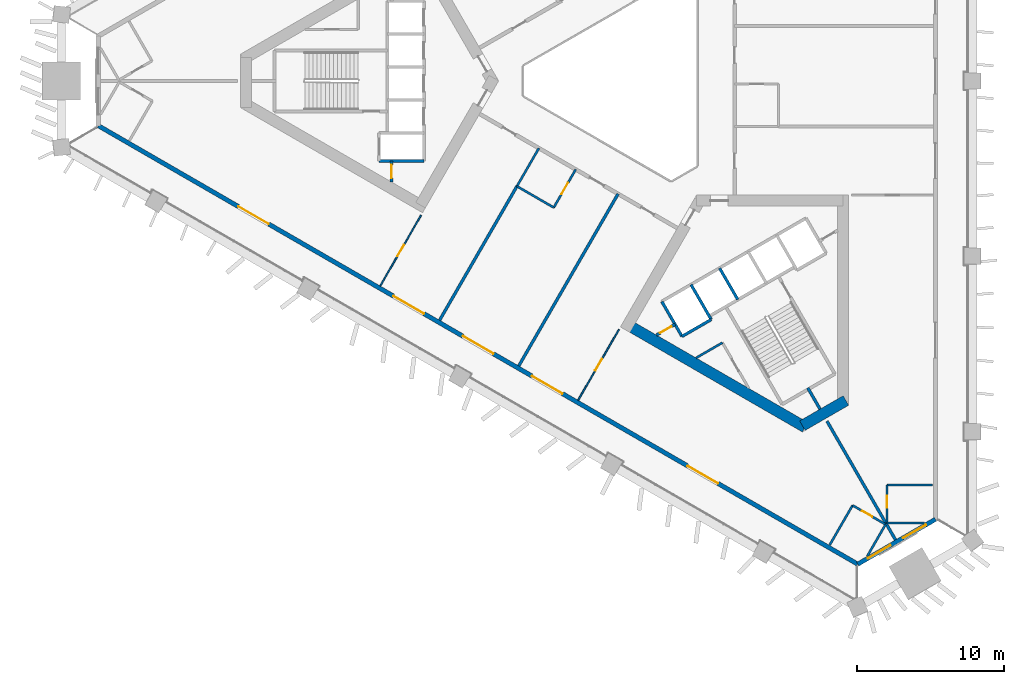
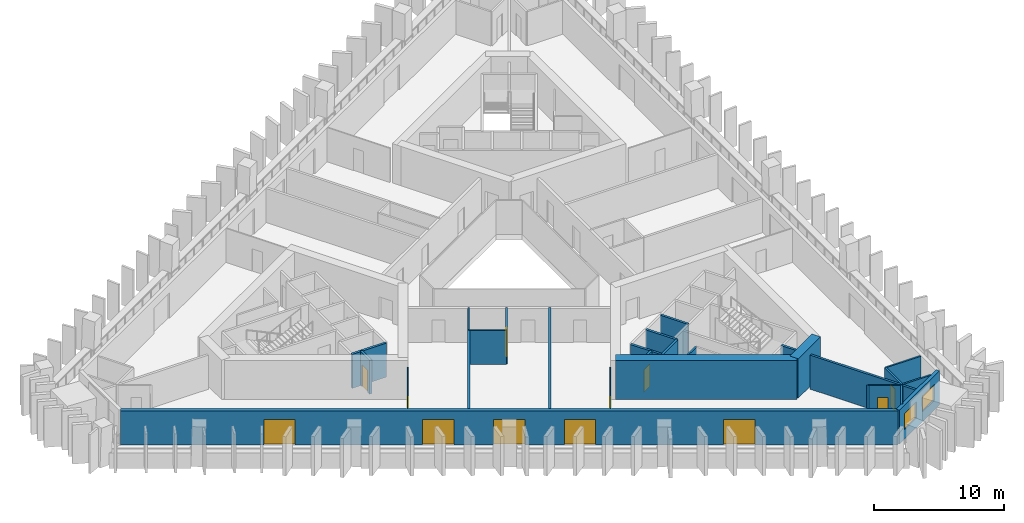
# One storey, part 2 of 10: 27 walls, 12 doors, 2 windows, 14 openings.
"""IFC4 building model written with IfcOpenShell, lengths in metres."""

from ifc_helpers import new_model, si_unit, direction, frame, frame_2d, origin, place, context, subcontext, project, spatial, rectangle, extrude, material, layer, layer_set, type_object, element, fill, save


model = new_model("IFC4")

# Units and contexts
model_context = context("Model", 3, precision=1e-05, world=origin(), true_north=direction((0.0, 1.0)))
body_context = subcontext(model_context, "Body", "Model", "MODEL_VIEW")
ifc_project = project(units=[si_unit("LENGTHUNIT", "METRE"), si_unit("AREAUNIT", "SQUARE_METRE"), si_unit("VOLUMEUNIT", "CUBIC_METRE"), si_unit("PLANEANGLEUNIT", "RADIAN"), si_unit("MASSUNIT", "GRAM", prefix="KILO")], contexts=[model_context])

# Site, building, storey
site_placement = place(None, origin())
site = spatial("IfcSite", under=ifc_project, at=site_placement, CompositionType="ELEMENT")
building_placement = place(site_placement, origin())
building = spatial("IfcBuilding", under=site, at=building_placement, Name="Jabali Bay Hotel Tower and Convention Centre", CompositionType="ELEMENT")
storey_placement = place(building_placement, frame((0.0, 0.0, 64.699951171875)))
storey = spatial("IfcBuildingStorey", under=building, at=storey_placement, Name="L14", CompositionType="ELEMENT", Elevation=64.699951171875)

# Wall, opening, door
ifc_material_1 = material(Name="Concrete C40", Category="concrete")
ifc_layer_1 = layer(ifc_material_1, 0.199951171875)
ifc_layer_set_1 = layer_set([ifc_layer_1], Name="Concrete C40")
wall_type_1 = type_object("IfcWallType", Name="Core partition wall 200", PredefinedType="PARTITIONING", material=ifc_layer_set_1)
wall_1_placement = place(storey_placement, frame((58.699951171875, 74.550048828125, 0.0), z_axis=(0.0, 0.0, 1.0), x_axis=(0.0, -1.0, 0.0)))
wall_1 = element("IfcWall", 1, at=wall_1_placement, inside=storey, type_object=wall_type_1, Name="Core wall 0.12 L14", PredefinedType="PARTITIONING", context=body_context, shape_type="SweptSolid", body=[
    extrude(rectangle(XDim=1.455078125, YDim=0.199951171875, at=frame_2d((0.7275390625, 0.0))), origin(), (0.0, 0.0, 1.0), 3.199951171875),
])
opening_1_placement = place(wall_1_placement, frame((0.277587890625, 0.0, 0.0)))
opening_1 = element("IfcOpeningElement", 2, at=opening_1_placement, cuts=wall_1, Name="Opening D368", PredefinedType="OPENING", context=body_context, shape_type="SweptSolid", body=[
    extrude(rectangle(XDim=0.89990234375, YDim=2.10009765625, at=frame_2d((0.449951171875, 1.050048828125))), frame((0.0, 0.1103515625, 0.0), z_axis=(0.0, -1.0, 0.0), x_axis=(1.0, 0.0, 0.0)), (0.0, 0.0, 1.0), 0.220947265625),
])
ifc_material_2 = material(Name="Fire-rated steel door", Category="steel")
door_type_1 = type_object("IfcDoorType", Name="Vestibule fire door 900 x 2100", OperationType="NOTDEFINED", PredefinedType="NOTDEFINED", material=ifc_material_2)
door_1_placement = place(opening_1_placement, origin())
door_1 = element("IfcDoor", 3, at=door_1_placement, inside=storey, type_object=door_type_1, Name="Vestibule fire door D368", OperationType="SINGLE_SWING_LEFT", OverallHeight=2.10009765625, OverallWidth=0.89990234375, PredefinedType="NOTDEFINED", context=body_context, shape_type="SweptSolid", body=[
    extrude(rectangle(XDim=0.89990234375, YDim=2.10009765625, at=frame_2d((0.449951171875, 1.050048828125))), frame((0.0, 0.02490234375, 0.0), z_axis=(0.0, -1.0, 0.0), x_axis=(1.0, 0.0, 0.0)), (0.0, 0.0, 1.0), 0.050048828125),
])
fill(opening_1, door_1)

# Wall
wall_2_placement = place(storey_placement, frame((87.090087890625, 59.0595703125, 0.0), z_axis=(0.0, 0.0, 1.0), x_axis=(0.499937194881, -0.866061661301, 0.0)))
element("IfcWall", 4, at=wall_2_placement, inside=storey, type_object=wall_type_1, Name="Core wall 2.5 L14", PredefinedType="PARTITIONING", context=body_context, shape_type="SweptSolid", body=[
    extrude(rectangle(XDim=1.673095703125, YDim=0.199951171875, at=frame_2d((0.83642578125, 0.0))), origin(), (0.0, 0.0, 1.0), 3.199951171875),
])

# Wall, opening, door
wall_3_placement = place(storey_placement, frame((76.77001953125, 62.662109375, 0.0), z_axis=(0.0, 0.0, 1.0), x_axis=(0.866054810376, 0.49994906283, 0.0)))
wall_3 = element("IfcWall", 5, at=wall_3_placement, inside=storey, type_object=wall_type_1, Name="Core wall 2.11 L14", PredefinedType="PARTITIONING", context=body_context, shape_type="SweptSolid", body=[
    extrude(rectangle(XDim=1.461181640625, YDim=0.199951171875, at=frame_2d((0.73046875, 0.0))), origin(), (0.0, 0.0, 1.0), 3.199951171875),
])
opening_2_placement = place(wall_3_placement, frame((0.280517578125, 0.0, 0.0)))
opening_2 = element("IfcOpeningElement", 6, at=opening_2_placement, cuts=wall_3, Name="Opening D381", PredefinedType="OPENING", context=body_context, shape_type="SweptSolid", body=[
    extrude(rectangle(XDim=0.89990234375, YDim=2.10009765625, at=frame_2d((0.449951171875, 1.050048828125))), frame((0.0, 0.1103515625, 0.0), z_axis=(0.0, -1.0, 0.0), x_axis=(1.0, 0.0, 0.0)), (0.0, 0.0, 1.0), 0.220947265625),
])
door_2_placement = place(opening_2_placement, origin())
door_2 = element("IfcDoor", 7, at=door_2_placement, inside=storey, type_object=door_type_1, Name="Vestibule fire door D381", OperationType="SINGLE_SWING_LEFT", OverallHeight=2.10009765625, OverallWidth=0.89990234375, PredefinedType="NOTDEFINED", context=body_context, shape_type="SweptSolid", body=[
    extrude(rectangle(XDim=0.89990234375, YDim=2.10009765625, at=frame_2d((0.449951171875, 1.050048828125))), frame((0.0, 0.02490234375, 0.0), z_axis=(0.0, -1.0, 0.0), x_axis=(1.0, 0.0, 0.0)), (0.0, 0.0, 1.0), 0.050048828125),
])
fill(opening_2, door_2)

# Walls
ifc_material_3 = material(Name="Fire-rated board partition")
ifc_layer_2 = layer(ifc_material_3, 0.14990234375)
ifc_layer_set_2 = layer_set([ifc_layer_2], Name="Fire-rated board partition")
wall_type_2 = type_object("IfcWallType", Name="Core room partition 150", PredefinedType="PARTITIONING", material=ifc_layer_set_2)
wall_4_placement = place(storey_placement, frame((79.469970703125, 61.103271484375, 0.0), z_axis=(0.0, 0.0, 1.0), x_axis=(0.866021168401, 0.500007335828, 0.0)))
element("IfcWall", 8, at=wall_4_placement, inside=storey, type_object=wall_type_2, Name="Core wall 2.16 L14", PredefinedType="PARTITIONING", context=body_context, shape_type="SweptSolid", body=[
    extrude(rectangle(XDim=2.0771484375, YDim=0.14990234375, at=frame_2d((1.03857421875, 0.0))), origin(), (0.0, 0.0, 1.0), 3.199951171875),
])
ifc_layer_3 = layer(ifc_material_1, 0.199951171875)
ifc_layer_set_3 = layer_set([ifc_layer_3], Name="Concrete C40")
wall_type_3 = type_object("IfcWallType", Name="Core stair wall 200", PredefinedType="SOLIDWALL", material=ifc_layer_set_3)
wall_5_placement = place(storey_placement, frame((60.89990234375, 74.550048828125, 0.0), z_axis=(0.0, 0.0, 1.0), x_axis=(-1.0, 0.0, 0.0)))
element("IfcWall", 9, at=wall_5_placement, inside=storey, type_object=wall_type_3, Name="Core wall 0.9 L14", PredefinedType="SOLIDWALL", context=body_context, shape_type="SweptSolid", body=[
    extrude(rectangle(XDim=3.0498046875, YDim=0.199951171875, at=frame_2d((1.52490234375, 0.0))), origin(), (0.0, 0.0, 1.0), 3.199951171875),
])
for number, where, z_axis, x_axis, name in (
    (10, (77.13525390625, 64.95166015625, 0.0), (0.0, 0.0, 1.0), (0.499996545922, -0.866027397988, 0.0), "Core wall 2.0 L14"),
    (11, (79.127197265625, 66.1015625, 0.0), (0.0, 0.0, 1.0), (0.499996545922, -0.866027397988, 0.0), "Core wall 2.2 L14"),
):
    element("IfcWall", number, at=place(storey_placement, frame(where, z_axis=z_axis, x_axis=x_axis)), inside=storey, type_object=wall_type_3, Name=name, PredefinedType="SOLIDWALL", context=body_context, shape_type="SweptSolid", body=[
        extrude(rectangle(XDim=2.75, YDim=0.199951171875, at=frame_2d((1.375, 0.0))), origin(), (0.0, 0.0, 1.0), 3.199951171875),
    ])
wall_6_placement = place(storey_placement, frame((81.07568359375, 67.2265625, 0.0), z_axis=(0.0, 0.0, 1.0), x_axis=(0.50000366821, -0.866023285932, 0.0)))
element("IfcWall", 12, at=wall_6_placement, inside=storey, type_object=wall_type_3, Name="Core wall 2.4 L14", PredefinedType="SOLIDWALL", context=body_context, shape_type="SweptSolid", body=[
    extrude(rectangle(XDim=2.47998046875, YDim=0.199951171875, at=frame_2d((1.239990234375, 0.0))), origin(), (0.0, 0.0, 1.0), 3.199951171875),
])
wall_7_placement = place(storey_placement, frame((78.51025390625, 62.570068359375, 0.0), z_axis=(0.0, 0.0, 1.0), x_axis=(0.866053019151, 0.499952165731, 0.0)))
element("IfcWall", 13, at=wall_7_placement, inside=storey, type_object=wall_type_3, Name="Core wall 2.14 L14", PredefinedType="SOLIDWALL", context=body_context, shape_type="SweptSolid", body=[
    extrude(rectangle(XDim=2.300048828125, YDim=0.199951171875, at=frame_2d((1.14990234375, 0.0))), origin(), (0.0, 0.0, 1.0), 3.199951171875),
])
ifc_material_4 = material(Name="Concrete C60", Category="concrete")
ifc_layer_4 = layer(ifc_material_4, 0.75)
ifc_layer_set_4 = layer_set([ifc_layer_4], Name="Concrete C60")
wall_type_4 = type_object("IfcWallType", Name="Core wall 750", PredefinedType="SHEAR", material=ifc_layer_set_4)
wall_8_placement = place(storey_placement, frame((74.822265625, 63.353759765625, 0.0), z_axis=(0.0, 0.0, 1.0), x_axis=(0.8660248072, -0.500001033313, 0.0)))
element("IfcWall", 14, at=wall_8_placement, inside=storey, type_object=wall_type_4, Name="Core wall 3.2 L14", PredefinedType="SHEAR", context=body_context, shape_type="SweptSolid", body=[
    extrude(rectangle(XDim=13.95849609375, YDim=0.75, at=frame_2d((6.979248046875, 0.0))), origin(), (0.0, 0.0, 1.0), 3.699951171875),
])
wall_9_placement = place(storey_placement, frame((86.72314453125, 56.482666015625, 0.0), z_axis=(0.0, 0.0, 1.0), x_axis=(0.866017201164, 0.500014207086, 0.0)))
element("IfcWall", 15, at=wall_9_placement, inside=storey, type_object=wall_type_4, Name="Core wall 3.3 L14", PredefinedType="SHEAR", context=body_context, shape_type="SweptSolid", body=[
    extrude(rectangle(XDim=3.4287109375, YDim=0.75, at=frame_2d((1.71435546875, 0.0))), origin(), (0.0, 0.0, 1.0), 3.699951171875),
])

# Wall, openings, windows
ifc_layer_5 = layer(ifc_material_1, 0.300048828125)
ifc_layer_set_5 = layer_set([ifc_layer_5], Name="Concrete C40")
wall_type_5 = type_object("IfcWallType", Name="External wall 300", PredefinedType="SOLIDWALL", material=ifc_layer_set_5)
wall_10_placement = place(storey_placement, frame((95.799560546875, 50.0947265625, 0.0), z_axis=(0.0, 0.0, 1.0), x_axis=(-0.866022842194, -0.500004436779, 0.0)))
wall_10 = element("IfcWall", 16, at=wall_10_placement, inside=storey, type_object=wall_type_5, Name="External wall south-east chamfer L14", PredefinedType="SOLIDWALL", context=body_context, shape_type="SweptSolid", body=[
    extrude(rectangle(XDim=6.12060546875, YDim=0.300048828125, at=frame_2d((3.060302734375, 0.0))), origin(), (0.0, 0.0, 1.0), 3.199951171875),
])
opening_3_placement = place(wall_10_placement, frame((0.759521484375, 0.0, 0.89990234375)))
opening_3 = element("IfcOpeningElement", 17, at=opening_3_placement, cuts=wall_10, Name="Opening W1", PredefinedType="OPENING", context=body_context, shape_type="SweptSolid", body=[
    extrude(rectangle(XDim=1.800048828125, YDim=1.5, at=frame_2d((0.89990234375, 0.75))), frame((0.0, 0.16064453125, 0.0), z_axis=(0.0, -1.0, 0.0), x_axis=(1.0, 0.0, 0.0)), (0.0, 0.0, 1.0), 0.321044921875),
])
opening_4_placement = place(wall_10_placement, frame((3.531982421875, 0.0, 0.89990234375)))
opening_4 = element("IfcOpeningElement", 18, at=opening_4_placement, cuts=wall_10, Name="Opening W1", PredefinedType="OPENING", context=body_context, shape_type="SweptSolid", body=[
    extrude(rectangle(XDim=1.800048828125, YDim=1.5, at=frame_2d((0.89990234375, 0.75))), frame((0.0, 0.16064453125, 0.0), z_axis=(0.0, -1.0, 0.0), x_axis=(1.0, 0.0, 0.0)), (0.0, 0.0, 1.0), 0.321044921875),
])
ifc_material_5 = material(Name="Glass", Category="glass")
window_type = type_object("IfcWindowType", Name="Window 1800 x 1500", PartitioningType="SINGLE_PANEL", PredefinedType="WINDOW", material=ifc_material_5)
window_1_placement = place(opening_3_placement, origin())
window_1 = element("IfcWindow", 19, at=window_1_placement, inside=storey, type_object=window_type, Name="Window 1401", OverallHeight=1.5, OverallWidth=1.800048828125, PartitioningType="SINGLE_PANEL", PredefinedType="WINDOW", context=body_context, shape_type="SweptSolid", body=[
    extrude(rectangle(XDim=1.800048828125, YDim=1.5, at=frame_2d((0.89990234375, 0.75))), frame((0.0, 0.030029296875, 0.0), z_axis=(0.0, -1.0, 0.0), x_axis=(1.0, 0.0, 0.0)), (0.0, 0.0, 1.0), 0.06005859375),
])
fill(opening_3, window_1)
window_2_placement = place(opening_4_placement, origin())
window_2 = element("IfcWindow", 20, at=window_2_placement, inside=storey, type_object=window_type, Name="Window 1409", OverallHeight=1.5, OverallWidth=1.800048828125, PartitioningType="SINGLE_PANEL", PredefinedType="WINDOW", context=body_context, shape_type="SweptSolid", body=[
    extrude(rectangle(XDim=1.800048828125, YDim=1.5, at=frame_2d((0.89990234375, 0.75))), frame((0.0, 0.030029296875, 0.0), z_axis=(0.0, -1.0, 0.0), x_axis=(1.0, 0.0, 0.0)), (0.0, 0.0, 1.0), 0.06005859375),
])
fill(opening_4, window_2)

# Wall, openings, doors
wall_11_placement = place(storey_placement, frame((90.4990234375, 47.034423828125, 0.0), z_axis=(0.0, 0.0, 1.0), x_axis=(-0.866026049211, 0.499998882086, 0.0)))
wall_11 = element("IfcWall", 21, at=wall_11_placement, inside=storey, type_object=wall_type_5, Name="External wall south-west face L14", PredefinedType="SOLIDWALL", context=body_context, shape_type="SweptSolid", body=[
    extrude(rectangle(XDim=59.810791015625, YDim=0.300048828125, at=frame_2d((29.9052734375, 0.0))), origin(), (0.0, 0.0, 1.0), 3.199951171875),
])
opening_5_placement = place(wall_11_placement, frame((28.705322265625, 0.0, 0.0)))
opening_5 = element("IfcOpeningElement", 22, at=opening_5_placement, cuts=wall_11, Name="Opening SD1", PredefinedType="OPENING", context=body_context, shape_type="SweptSolid", body=[
    extrude(rectangle(XDim=2.39990234375, YDim=2.39990234375, at=frame_2d((1.199951171875, 1.199951171875))), frame((0.0, 0.16064453125, 0.0), z_axis=(0.0, -1.0, 0.0), x_axis=(1.0, 0.0, 0.0)), (0.0, 0.0, 1.0), 0.321044921875),
])
opening_6_placement = place(wall_11_placement, frame((34.1611328125, 0.0, 0.0)))
opening_6 = element("IfcOpeningElement", 23, at=opening_6_placement, cuts=wall_11, Name="Opening SD1", PredefinedType="OPENING", context=body_context, shape_type="SweptSolid", body=[
    extrude(rectangle(XDim=2.39990234375, YDim=2.39990234375, at=frame_2d((1.199951171875, 1.199951171875))), frame((0.0, 0.16064453125, 0.0), z_axis=(0.0, -1.0, 0.0), x_axis=(1.0, 0.0, 0.0)), (0.0, 0.0, 1.0), 0.321044921875),
])
opening_7_placement = place(wall_11_placement, frame((46.39404296875, 0.0, 0.0)))
opening_7 = element("IfcOpeningElement", 24, at=opening_7_placement, cuts=wall_11, Name="Opening SD1", PredefinedType="OPENING", context=body_context, shape_type="SweptSolid", body=[
    extrude(rectangle(XDim=2.39990234375, YDim=2.39990234375, at=frame_2d((1.199951171875, 1.199951171875))), frame((0.0, 0.16064453125, 0.0), z_axis=(0.0, -1.0, 0.0), x_axis=(1.0, 0.0, 0.0)), (0.0, 0.0, 1.0), 0.321044921875),
])
opening_8_placement = place(wall_11_placement, frame((23.249267578125, 0.0, 0.0)))
opening_8 = element("IfcOpeningElement", 25, at=opening_8_placement, cuts=wall_11, Name="Opening SD1", PredefinedType="OPENING", context=body_context, shape_type="SweptSolid", body=[
    extrude(rectangle(XDim=2.39990234375, YDim=2.39990234375, at=frame_2d((1.199951171875, 1.199951171875))), frame((0.0, 0.16064453125, 0.0), z_axis=(0.0, -1.0, 0.0), x_axis=(1.0, 0.0, 0.0)), (0.0, 0.0, 1.0), 0.321044921875),
])
opening_9_placement = place(wall_11_placement, frame((11.001953125, 0.0, 0.0)))
opening_9 = element("IfcOpeningElement", 26, at=opening_9_placement, cuts=wall_11, Name="Opening SD1", PredefinedType="OPENING", context=body_context, shape_type="SweptSolid", body=[
    extrude(rectangle(XDim=2.39990234375, YDim=2.39990234375, at=frame_2d((1.199951171875, 1.199951171875))), frame((0.0, 0.16064453125, 0.0), z_axis=(0.0, -1.0, 0.0), x_axis=(1.0, 0.0, 0.0)), (0.0, 0.0, 1.0), 0.321044921875),
])
door_type_2 = type_object("IfcDoorType", Name="Loggia sliding door 2400 x 2400", OperationType="NOTDEFINED", PredefinedType="NOTDEFINED", material=ifc_material_5)
door_3_placement = place(opening_5_placement, origin())
door_3 = element("IfcDoor", 27, at=door_3_placement, inside=storey, type_object=door_type_2, Name="Loggia sliding door 1408", OperationType="SLIDING_TO_LEFT", OverallHeight=2.39990234375, OverallWidth=2.39990234375, PredefinedType="NOTDEFINED", context=body_context, shape_type="SweptSolid", body=[
    extrude(rectangle(XDim=2.39990234375, YDim=2.39990234375, at=frame_2d((1.199951171875, 1.199951171875))), frame((0.0, 0.02490234375, 0.0), z_axis=(0.0, -1.0, 0.0), x_axis=(1.0, 0.0, 0.0)), (0.0, 0.0, 1.0), 0.050048828125),
])
fill(opening_5, door_3)
door_4_placement = place(opening_6_placement, origin())
door_4 = element("IfcDoor", 28, at=door_4_placement, inside=storey, type_object=door_type_2, Name="Loggia sliding door 1407", OperationType="SLIDING_TO_RIGHT", OverallHeight=2.39990234375, OverallWidth=2.39990234375, PredefinedType="NOTDEFINED", context=body_context, shape_type="SweptSolid", body=[
    extrude(rectangle(XDim=2.39990234375, YDim=2.39990234375, at=frame_2d((1.199951171875, 1.199951171875))), frame((0.0, 0.02490234375, 0.0), z_axis=(0.0, -1.0, 0.0), x_axis=(1.0, 0.0, 0.0)), (0.0, 0.0, 1.0), 0.050048828125),
])
fill(opening_6, door_4)
door_5_placement = place(opening_7_placement, origin())
door_5 = element("IfcDoor", 29, at=door_5_placement, inside=storey, type_object=door_type_2, Name="Loggia sliding door 1407", OperationType="SLIDING_TO_LEFT", OverallHeight=2.39990234375, OverallWidth=2.39990234375, PredefinedType="NOTDEFINED", context=body_context, shape_type="SweptSolid", body=[
    extrude(rectangle(XDim=2.39990234375, YDim=2.39990234375, at=frame_2d((1.199951171875, 1.199951171875))), frame((0.0, 0.02490234375, 0.0), z_axis=(0.0, -1.0, 0.0), x_axis=(1.0, 0.0, 0.0)), (0.0, 0.0, 1.0), 0.050048828125),
])
fill(opening_7, door_5)
door_6_placement = place(opening_8_placement, origin())
door_6 = element("IfcDoor", 30, at=door_6_placement, inside=storey, type_object=door_type_2, Name="Loggia sliding door 1409", OperationType="SLIDING_TO_RIGHT", OverallHeight=2.39990234375, OverallWidth=2.39990234375, PredefinedType="NOTDEFINED", context=body_context, shape_type="SweptSolid", body=[
    extrude(rectangle(XDim=2.39990234375, YDim=2.39990234375, at=frame_2d((1.199951171875, 1.199951171875))), frame((0.0, 0.02490234375, 0.0), z_axis=(0.0, -1.0, 0.0), x_axis=(1.0, 0.0, 0.0)), (0.0, 0.0, 1.0), 0.050048828125),
])
fill(opening_8, door_6)
door_7_placement = place(opening_9_placement, origin())
door_7 = element("IfcDoor", 31, at=door_7_placement, inside=storey, type_object=door_type_2, Name="Loggia sliding door 1409", OperationType="SLIDING_TO_LEFT", OverallHeight=2.39990234375, OverallWidth=2.39990234375, PredefinedType="NOTDEFINED", context=body_context, shape_type="SweptSolid", body=[
    extrude(rectangle(XDim=2.39990234375, YDim=2.39990234375, at=frame_2d((1.199951171875, 1.199951171875))), frame((0.0, 0.02490234375, 0.0), z_axis=(0.0, -1.0, 0.0), x_axis=(1.0, 0.0, 0.0)), (0.0, 0.0, 1.0), 0.050048828125),
])
fill(opening_9, door_7)

# Wall, opening, door
ifc_material_6 = material(Name="Plasterboard on steel stud", Category="steel")
ifc_layer_6 = layer(ifc_material_6, 0.10009765625)
ifc_layer_set_6 = layer_set([ifc_layer_6], Name="Plasterboard on steel stud")
wall_type_6 = type_object("IfcWallType", Name="Partition 100 unit", PredefinedType="PARTITIONING", material=ifc_layer_set_6)
wall_12_placement = place(storey_placement, frame((60.71044921875, 70.83837890625, 0.0), z_axis=(0.0, 0.0, 1.0), x_axis=(-0.499994302092, -0.866028693448, 0.0)))
wall_12 = element("IfcWall", 32, at=wall_12_placement, inside=storey, type_object=wall_type_6, Name="Partition P02 L14 030", PredefinedType="PARTITIONING", context=body_context, shape_type="SweptSolid", body=[
    extrude(rectangle(XDim=5.5712890625, YDim=0.10009765625, at=frame_2d((2.78564453125, 0.0))), origin(), (0.0, 0.0, 1.0), 3.199951171875),
])
opening_10_placement = place(wall_12_placement, frame((2.3359375, 0.0, 0.0)))
opening_10 = element("IfcOpeningElement", 33, at=opening_10_placement, cuts=wall_12, Name="Opening 1418", PredefinedType="OPENING", context=body_context, shape_type="SweptSolid", body=[
    extrude(rectangle(XDim=0.89990234375, YDim=2.10009765625, at=frame_2d((0.449951171875, 1.050048828125))), frame((0.0, 0.060546875, 0.0), z_axis=(0.0, -1.0, 0.0), x_axis=(1.0, 0.0, 0.0)), (0.0, 0.0, 1.0), 0.12109375),
])
ifc_material_7 = material(Name="Timber", Category="wood")
door_type_3 = type_object("IfcDoorType", Name="Internal door 900 x 2100", OperationType="NOTDEFINED", PredefinedType="NOTDEFINED", material=ifc_material_7)
door_8_placement = place(opening_10_placement, origin())
door_8 = element("IfcDoor", 34, at=door_8_placement, inside=storey, type_object=door_type_3, Name="Door 1418", OperationType="SINGLE_SWING_RIGHT", OverallHeight=2.10009765625, OverallWidth=0.89990234375, PredefinedType="NOTDEFINED", context=body_context, shape_type="SweptSolid", body=[
    extrude(rectangle(XDim=0.89990234375, YDim=2.10009765625, at=frame_2d((0.449951171875, 1.050048828125))), frame((0.0, 0.02490234375, 0.0), z_axis=(0.0, -1.0, 0.0), x_axis=(1.0, 0.0, 0.0)), (0.0, 0.0, 1.0), 0.050048828125),
])
fill(opening_10, door_8)

wall_13_placement = place(storey_placement, frame((71.4248046875, 58.218994140625, 0.0), z_axis=(0.0, 0.0, 1.0), x_axis=(0.499975327912, 0.866039647752, 0.0)))
wall_13 = element("IfcWall", 35, at=wall_13_placement, inside=storey, type_object=wall_type_6, Name="Partition P02 L14 039", PredefinedType="PARTITIONING", context=body_context, shape_type="SweptSolid", body=[
    extrude(rectangle(XDim=5.571533203125, YDim=0.10009765625, at=frame_2d((2.78564453125, 0.0))), origin(), (0.0, 0.0, 1.0), 3.199951171875),
])
opening_11_placement = place(wall_13_placement, frame((2.3359375, 0.0, 0.0)))
opening_11 = element("IfcOpeningElement", 36, at=opening_11_placement, cuts=wall_13, Name="Opening 1423", PredefinedType="OPENING", context=body_context, shape_type="SweptSolid", body=[
    extrude(rectangle(XDim=0.89990234375, YDim=2.10009765625, at=frame_2d((0.449951171875, 1.050048828125))), frame((0.0, 0.060546875, 0.0), z_axis=(0.0, -1.0, 0.0), x_axis=(1.0, 0.0, 0.0)), (0.0, 0.0, 1.0), 0.12109375),
])
door_9_placement = place(opening_11_placement, origin())
door_9 = element("IfcDoor", 37, at=door_9_placement, inside=storey, type_object=door_type_3, Name="Door 1423", OperationType="SINGLE_SWING_RIGHT", OverallHeight=2.10009765625, OverallWidth=0.89990234375, PredefinedType="NOTDEFINED", context=body_context, shape_type="SweptSolid", body=[
    extrude(rectangle(XDim=0.89990234375, YDim=2.10009765625, at=frame_2d((0.449951171875, 1.050048828125))), frame((0.0, 0.02490234375, 0.0), z_axis=(0.0, -1.0, 0.0), x_axis=(1.0, 0.0, 0.0)), (0.0, 0.0, 1.0), 0.050048828125),
])
fill(opening_11, door_9)

# Wall
ifc_layer_7 = layer(ifc_material_6, 0.14990234375)
ifc_layer_set_7 = layer_set([ifc_layer_7], Name="Plasterboard on steel stud")
wall_type_7 = type_object("IfcWallType", Name="Partition 150 wet", PredefinedType="PARTITIONING", material=ifc_layer_set_7)
wall_14_placement = place(storey_placement, frame((95.051025390625, 49.834716796875, 0.0), z_axis=(0.0, 0.0, 1.0), x_axis=(-1.0, 0.0, 0.0)))
element("IfcWall", 38, at=wall_14_placement, inside=storey, type_object=wall_type_7, Name="Partition P03 L14 004", PredefinedType="PARTITIONING", context=body_context, shape_type="SweptSolid", body=[
    extrude(rectangle(XDim=2.549560546875, YDim=0.14990234375, at=frame_2d((1.27490234375, 0.0))), origin(), (0.0, 0.0, 1.0), 3.199951171875),
])

# Wall, opening, door
wall_15_placement = place(storey_placement, frame((92.50146484375, 49.834716796875, 0.0), z_axis=(0.0, 0.0, 1.0), x_axis=(0.0, 1.0, 0.0)))
wall_15 = element("IfcWall", 39, at=wall_15_placement, inside=storey, type_object=wall_type_7, Name="Partition P03 L14 005", PredefinedType="PARTITIONING", context=body_context, shape_type="SweptSolid", body=[
    extrude(rectangle(XDim=2.60009765625, YDim=0.14990234375, at=frame_2d((1.300048828125, 0.0))), origin(), (0.0, 0.0, 1.0), 3.199951171875),
])
opening_12_placement = place(wall_15_placement, frame((1.050048828125, 0.0, 0.0)))
opening_12 = element("IfcOpeningElement", 40, at=opening_12_placement, cuts=wall_15, Name="Opening 1403", PredefinedType="OPENING", context=body_context, shape_type="SweptSolid", body=[
    extrude(rectangle(XDim=0.800048828125, YDim=2.10009765625, at=frame_2d((0.39990234375, 1.050048828125))), frame((0.0, 0.08544921875, 0.0), z_axis=(0.0, -1.0, 0.0), x_axis=(1.0, 0.0, 0.0)), (0.0, 0.0, 1.0), 0.1708984375),
])
door_type_4 = type_object("IfcDoorType", Name="En-suite door 800 x 2100", OperationType="NOTDEFINED", PredefinedType="NOTDEFINED", material=ifc_material_7)
door_10_placement = place(opening_12_placement, origin())
door_10 = element("IfcDoor", 41, at=door_10_placement, inside=storey, type_object=door_type_4, Name="Door 1403", OperationType="SINGLE_SWING_RIGHT", OverallHeight=2.10009765625, OverallWidth=0.800048828125, PredefinedType="NOTDEFINED", context=body_context, shape_type="SweptSolid", body=[
    extrude(rectangle(XDim=0.800048828125, YDim=2.10009765625, at=frame_2d((0.39990234375, 1.050048828125))), frame((0.0, 0.02490234375, 0.0), z_axis=(0.0, -1.0, 0.0), x_axis=(1.0, 0.0, 0.0)), (0.0, 0.0, 1.0), 0.050048828125),
])
fill(opening_12, door_10)

# Walls
wall_16_placement = place(storey_placement, frame((92.50146484375, 52.434814453125, 0.0), z_axis=(0.0, 0.0, 1.0), x_axis=(1.0, 0.0, 0.0)))
element("IfcWall", 42, at=wall_16_placement, inside=storey, type_object=wall_type_7, Name="Partition P03 L14 006", PredefinedType="PARTITIONING", context=body_context, shape_type="SweptSolid", body=[
    extrude(rectangle(XDim=3.10791015625, YDim=0.14990234375, at=frame_2d((1.553955078125, 0.0))), origin(), (0.0, 0.0, 1.0), 3.199951171875),
])
wall_17_placement = place(storey_placement, frame((67.25, 72.81201171875, 0.0), z_axis=(0.0, 0.0, 1.0), x_axis=(0.499990139034, 0.866031096941, 0.0)))
element("IfcWall", 43, at=wall_17_placement, inside=storey, type_object=wall_type_7, Name="Partition P03 L14 032", PredefinedType="PARTITIONING", context=body_context, shape_type="SweptSolid", body=[
    extrude(rectangle(XDim=3.0, YDim=0.14990234375, at=frame_2d((1.5, 0.0))), origin(), (0.0, 0.0, 1.0), 3.199951171875),
])

# Wall, opening, door
wall_18_placement = place(storey_placement, frame((71.261474609375, 73.9599609375, 0.0), z_axis=(0.0, 0.0, 1.0), x_axis=(-0.50002537861, -0.866010750942, 0.0)))
wall_18 = element("IfcWall", 44, at=wall_18_placement, inside=storey, type_object=wall_type_7, Name="Partition P03 L14 036", PredefinedType="PARTITIONING", context=body_context, shape_type="SweptSolid", body=[
    extrude(rectangle(XDim=2.999755859375, YDim=0.14990234375, at=frame_2d((1.5, 0.0))), origin(), (0.0, 0.0, 1.0), 3.199951171875),
])
opening_13_placement = place(wall_18_placement, frame((1.050048828125, 0.0, 0.0)))
opening_13 = element("IfcOpeningElement", 45, at=opening_13_placement, cuts=wall_18, Name="Opening 1420", PredefinedType="OPENING", context=body_context, shape_type="SweptSolid", body=[
    extrude(rectangle(XDim=0.89990234375, YDim=2.10009765625, at=frame_2d((0.449951171875, 1.050048828125))), frame((0.0, 0.08544921875, 0.0), z_axis=(0.0, -1.0, 0.0), x_axis=(1.0, 0.0, 0.0)), (0.0, 0.0, 1.0), 0.1708984375),
])
door_type_5 = type_object("IfcDoorType", Name="Accessible en-suite door 900 x 2100", OperationType="NOTDEFINED", PredefinedType="NOTDEFINED", material=ifc_material_7)
door_11_placement = place(opening_13_placement, origin())
door_11 = element("IfcDoor", 46, at=door_11_placement, inside=storey, type_object=door_type_5, Name="Door 1420", OperationType="SINGLE_SWING_RIGHT", OverallHeight=2.10009765625, OverallWidth=0.89990234375, PredefinedType="NOTDEFINED", context=body_context, shape_type="SweptSolid", body=[
    extrude(rectangle(XDim=0.89990234375, YDim=2.10009765625, at=frame_2d((0.449951171875, 1.050048828125))), frame((0.0, 0.02490234375, 0.0), z_axis=(0.0, -1.0, 0.0), x_axis=(1.0, 0.0, 0.0)), (0.0, 0.0, 1.0), 0.050048828125),
])
fill(opening_13, door_11)

# Walls
wall_19_placement = place(storey_placement, frame((69.761474609375, 71.362060546875, 0.0), z_axis=(0.0, 0.0, 1.0), x_axis=(-0.866032775405, 0.499987231761, 0.0)))
element("IfcWall", 47, at=wall_19_placement, inside=storey, type_object=wall_type_7, Name="Partition P03 L14 037", PredefinedType="PARTITIONING", context=body_context, shape_type="SweptSolid", body=[
    extrude(rectangle(XDim=2.89990234375, YDim=0.14990234375, at=frame_2d((1.449951171875, 0.0))), origin(), (0.0, 0.0, 1.0), 3.199951171875),
])
wall_20_placement = place(storey_placement, frame((88.592529296875, 48.3544921875, 0.0), z_axis=(0.0, 0.0, 1.0), x_axis=(0.499983108224, 0.866035156036, 0.0)))
element("IfcWall", 48, at=wall_20_placement, inside=storey, type_object=wall_type_7, Name="Partition P03 L14 040", PredefinedType="PARTITIONING", context=body_context, shape_type="SweptSolid", body=[
    extrude(rectangle(XDim=3.10791015625, YDim=0.14990234375, at=frame_2d((1.553955078125, 0.0))), origin(), (0.0, 0.0, 1.0), 3.199951171875),
])

# Wall, opening, door
wall_21_placement = place(storey_placement, frame((90.146484375, 51.046142578125, 0.0), z_axis=(0.0, 0.0, 1.0), x_axis=(0.866021400173, -0.500006934395, 0.0)))
wall_21 = element("IfcWall", 49, at=wall_21_placement, inside=storey, type_object=wall_type_7, Name="Partition P03 L14 041", PredefinedType="PARTITIONING", context=body_context, shape_type="SweptSolid", body=[
    extrude(rectangle(XDim=2.60009765625, YDim=0.14990234375, at=frame_2d((1.300048828125, 0.0))), origin(), (0.0, 0.0, 1.0), 3.199951171875),
])
opening_14_placement = place(wall_21_placement, frame((0.75, 0.0, 0.0)))
opening_14 = element("IfcOpeningElement", 50, at=opening_14_placement, cuts=wall_21, Name="Opening 1424", PredefinedType="OPENING", context=body_context, shape_type="SweptSolid", body=[
    extrude(rectangle(XDim=0.800048828125, YDim=2.10009765625, at=frame_2d((0.39990234375, 1.050048828125))), frame((0.0, 0.08544921875, 0.0), z_axis=(0.0, -1.0, 0.0), x_axis=(1.0, 0.0, 0.0)), (0.0, 0.0, 1.0), 0.1708984375),
])
door_12_placement = place(opening_14_placement, origin())
door_12 = element("IfcDoor", 51, at=door_12_placement, inside=storey, type_object=door_type_4, Name="Door 1424", OperationType="SINGLE_SWING_LEFT", OverallHeight=2.10009765625, OverallWidth=0.800048828125, PredefinedType="NOTDEFINED", context=body_context, shape_type="SweptSolid", body=[
    extrude(rectangle(XDim=0.800048828125, YDim=2.10009765625, at=frame_2d((0.39990234375, 1.050048828125))), frame((0.0, 0.02490234375, 0.0), z_axis=(0.0, -1.0, 0.0), x_axis=(1.0, 0.0, 0.0)), (0.0, 0.0, 1.0), 0.050048828125),
])
fill(opening_14, door_12)

# Walls
wall_22_placement = place(storey_placement, frame((92.398193359375, 49.74609375, 0.0), z_axis=(0.0, 0.0, 1.0), x_axis=(-0.500015568388, -0.866016415185, 0.0)))
element("IfcWall", 52, at=wall_22_placement, inside=storey, type_object=wall_type_7, Name="Partition P03 L14 042", PredefinedType="PARTITIONING", context=body_context, shape_type="SweptSolid", body=[
    extrude(rectangle(XDim=2.49951171875, YDim=0.14990234375, at=frame_2d((1.249755859375, 0.0))), origin(), (0.0, 0.0, 1.0), 3.199951171875),
])
ifc_layer_8 = layer(ifc_material_6, 0.199951171875)
ifc_layer_set_8 = layer_set([ifc_layer_8], Name="Plasterboard on steel stud")
wall_type_8 = type_object("IfcWallType", Name="Partition 200 party", PredefinedType="PARTITIONING", material=ifc_layer_set_8)
wall_23_placement = place(storey_placement, frame((88.401123046875, 56.788818359375, 0.0), z_axis=(0.0, 0.0, 1.0), x_axis=(0.49998471623, -0.866034227694, 0.0)))
element("IfcWall", 53, at=wall_23_placement, inside=storey, type_object=wall_type_8, Name="Partition P01 L14 007", PredefinedType="PARTITIONING", context=body_context, shape_type="SweptSolid", body=[
    extrude(rectangle(XDim=9.347412109375, YDim=0.199951171875, at=frame_2d((4.673828125, 0.0))), origin(), (0.0, 0.0, 1.0), 3.199951171875),
])
wall_24_placement = place(storey_placement, frame((61.974853515625, 63.675048828125, 0.0), z_axis=(0.0, 0.0, 1.0), x_axis=(0.499994206371, 0.866028748712, 0.0)))
element("IfcWall", 54, at=wall_24_placement, inside=storey, type_object=wall_type_8, Name="Partition P01 L14 031", PredefinedType="PARTITIONING", context=body_context, shape_type="SweptSolid", body=[
    extrude(rectangle(XDim=10.550537109375, YDim=0.199951171875, at=frame_2d((5.275390625, 0.0))), origin(), (0.0, 0.0, 1.0), 3.199951171875),
])
wall_25_placement = place(storey_placement, frame((67.374755859375, 60.557373046875, 0.0), z_axis=(0.0, 0.0, 1.0), x_axis=(0.499993305868, 0.866029268609, 0.0)))
element("IfcWall", 55, at=wall_25_placement, inside=storey, type_object=wall_type_8, Name="Partition P01 L14 038", PredefinedType="PARTITIONING", context=body_context, shape_type="SweptSolid", body=[
    extrude(rectangle(XDim=13.550537109375, YDim=0.199951171875, at=frame_2d((6.775390625, 0.0))), origin(), (0.0, 0.0, 1.0), 3.199951171875),
])

save(model, "model.ifc")
